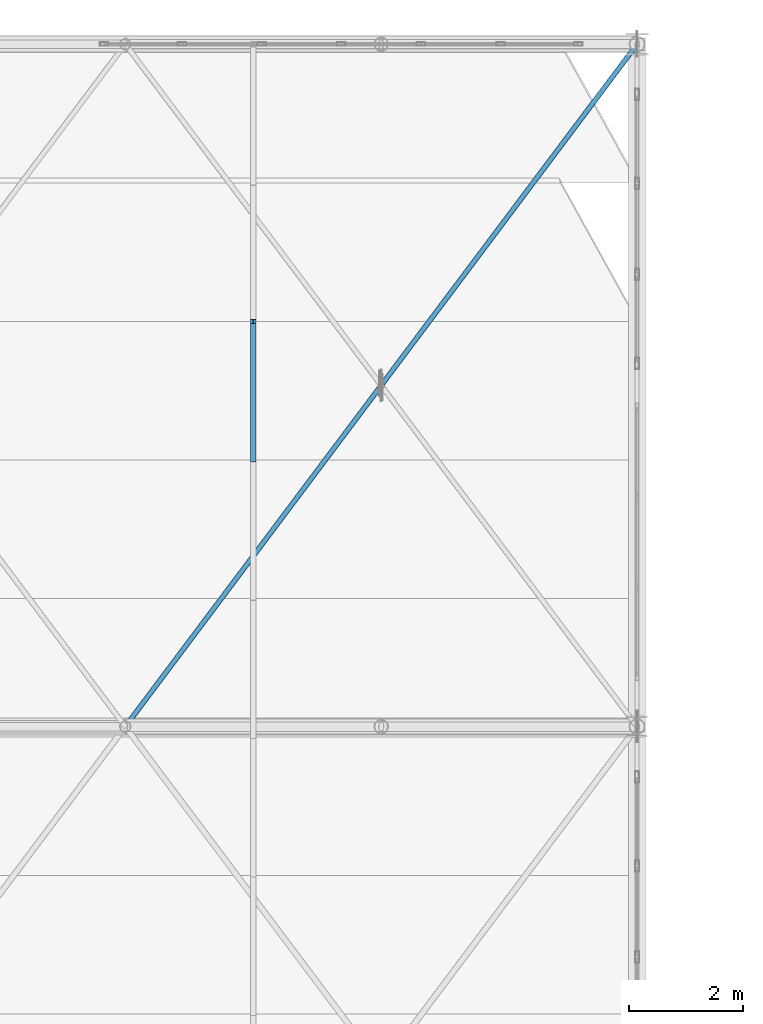
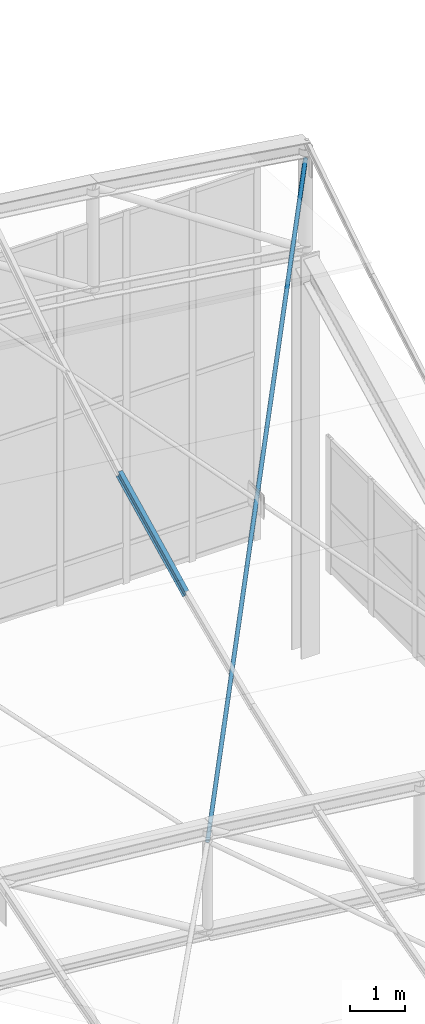
# One storey, part 132 of 262: 2 members.
"""IFC4 building model written with IfcOpenShell, lengths in metres."""

from ifc_helpers import new_model, si_unit, derived_unit, direction, frame, origin, origin_2d, place, context, subcontext, project, spatial, hollow_circle, i_section, extrude, material, material_profile, profile_set, type_object, element, save


model = new_model("IFC4")

# Units and contexts
model_context = context("Model", 3, precision=1e-05, world=origin(), true_north=direction((0.0, 1.0)))
body_context = subcontext(model_context, "Body", "Model", "MODEL_VIEW")
ifc_project = project(units=[si_unit("LENGTHUNIT", "METRE"), si_unit("AREAUNIT", "SQUARE_METRE"), si_unit("VOLUMEUNIT", "CUBIC_METRE"), si_unit("PLANEANGLEUNIT", "RADIAN"), si_unit("MASSUNIT", "GRAM", prefix="KILO"), derived_unit("THERMALTRANSMITTANCEUNIT", [(si_unit("POWERUNIT", "WATT"), 1), (si_unit("LENGTHUNIT", "METRE"), -2), (si_unit("THERMODYNAMICTEMPERATUREUNIT", "KELVIN"), -1)])], contexts=[model_context])

# Site, building, storey
site_placement = place(None, origin())
site = spatial("IfcSite", under=ifc_project, at=site_placement, CompositionType="ELEMENT")
building_placement = place(site_placement, origin())
building = spatial("IfcBuilding", under=site, at=building_placement, Name="Almenara Railside Exhibition Hall", CompositionType="ELEMENT")
storey_placement = place(building_placement, frame((0.0, 0.0, 21.699951171875)))
storey = spatial("IfcBuildingStorey", under=building, at=storey_placement, Name="RF", CompositionType="ELEMENT", Elevation=21.699951171875)

# Members
ifc_material = material(Name="Structural steel S355JR", Category="steel")
ifc_material_profile_1 = material_profile(ifc_material, hollow_circle(Radius=0.04443359375, WallThickness=0.00390625, at=origin_2d()), Name="CHS 88.9x4")
ifc_profile_set_1 = profile_set([ifc_material_profile_1], Name="Structural steel S355JR")
member_type_1 = type_object("IfcMemberType", Name="Canopy Tie Brace CHS 88.9x4 S355JR", PredefinedType="BRACE", material=ifc_profile_set_1)
member_1_placement = place(storey_placement, frame((57.0, 120.0, 3.783447265625), z_axis=(0.571047854819, 0.761397139759, 0.306885553706), x_axis=(-0.8, 0.6, 0.0)))
element("IfcMember", 1, at=member_1_placement, inside=storey, type_object=member_type_1, Name="MEM-WB-V1-WB-CHS89-06-10-C", PredefinedType="BRACE", context=body_context, shape_type="SweptSolid", body=[
    extrude(hollow_circle(Radius=0.04443359375, WallThickness=0.00390625, at=origin_2d()), origin(), (0.0, 0.0, 1.0), 15.760498046875),
])
ifc_material_profile_2 = material_profile(ifc_material, i_section(OverallWidth=0.091064453125, OverallDepth=0.179931640625, WebThickness=0.00537109375, FlangeThickness=0.008056640625, FilletRadius=0.009033203125, at=origin_2d()), Name="IPE 180")
ifc_profile_set_2 = profile_set([ifc_material_profile_2], Name="Structural steel S355JR")
member_type_2 = type_object("IfcMemberType", Name="Plenary Roof Purlin IPE 180 S355JR", PredefinedType="PURLIN", material=ifc_profile_set_2)
member_2_placement = place(storey_placement, frame((59.25, 124.68994140625, 5.68896484375), z_axis=(0.0, 0.895376074457, 0.445310773831), x_axis=(-1.0, 0.0, 0.0)))
element("IfcMember", 2, at=member_2_placement, inside=storey, type_object=member_type_2, Name="MEM-PR-V1-PR-IPE180-07-25", PredefinedType="PURLIN", context=body_context, shape_type="SweptSolid", body=[
    extrude(i_section(OverallWidth=0.091064453125, OverallDepth=0.179931640625, WebThickness=0.00537109375, FlangeThickness=0.008056640625, FilletRadius=0.009033203125, at=origin_2d()), origin(), (0.0, 0.0, 1.0), 2.721435546875),
])

save(model, "model.ifc")
